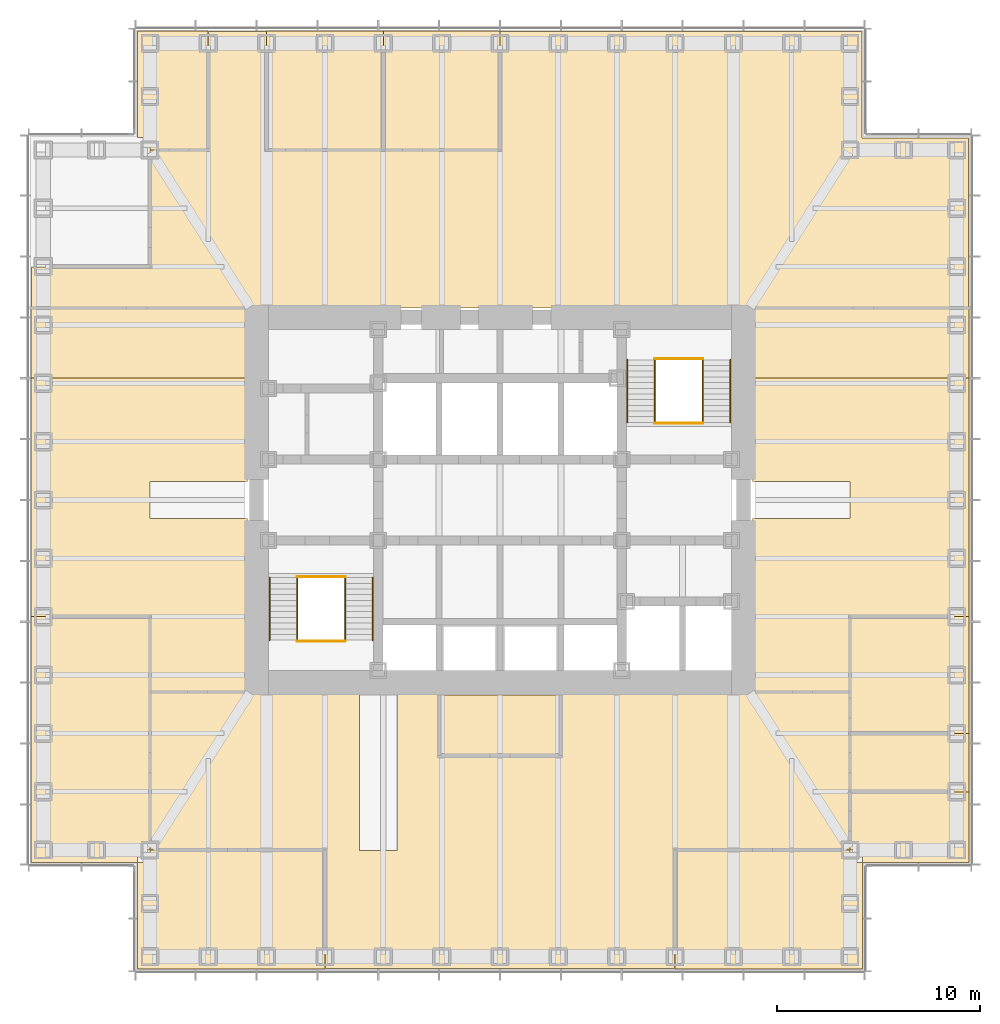
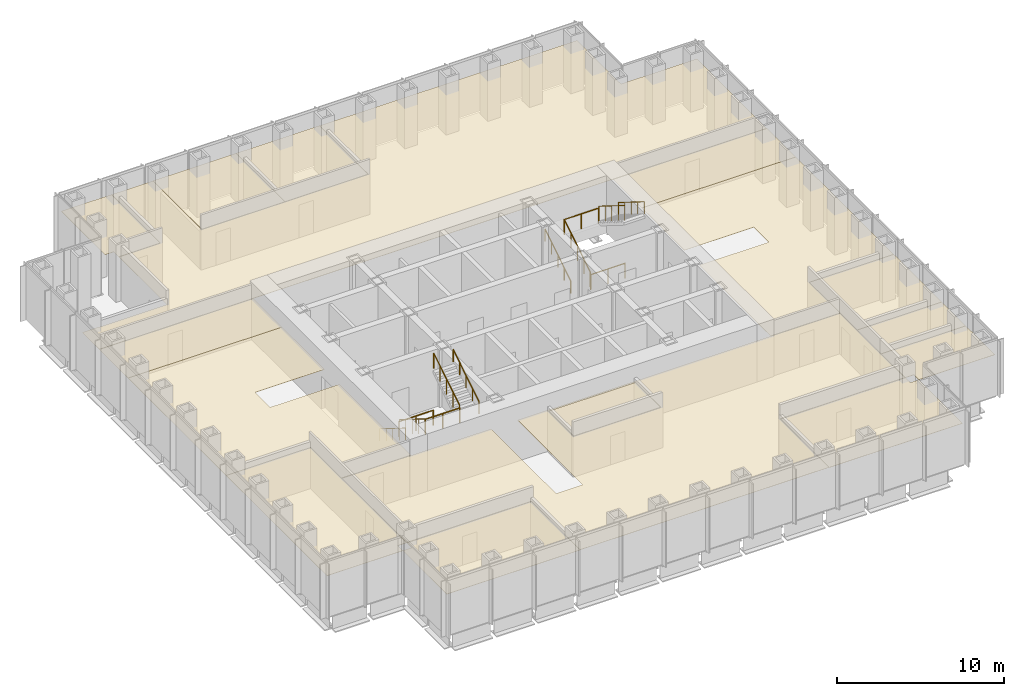
# One storey, part 16 of 16: 16 coverings, 12 railings.
"""IFC4 building model written with IfcOpenShell, lengths in metres."""

from ifc_helpers import new_model, si_unit, direction, frame, origin, origin_2d, place, context, subcontext, project, spatial, polyline, circle, outline, extrude, material, layer, layer_set, type_object, element, save


model = new_model("IFC4")

# Units and contexts
model_context = context("Model", 3, precision=1e-05, world=origin(), true_north=direction((0.0, 1.0)))
body_context = subcontext(model_context, "Body", "Model", "MODEL_VIEW")
ifc_project = project(units=[si_unit("LENGTHUNIT", "METRE"), si_unit("AREAUNIT", "SQUARE_METRE"), si_unit("VOLUMEUNIT", "CUBIC_METRE"), si_unit("PLANEANGLEUNIT", "RADIAN"), si_unit("MASSUNIT", "GRAM", prefix="KILO")], contexts=[model_context])

# Site, building, storey
site_placement = place(None, origin())
site = spatial("IfcSite", under=ifc_project, at=site_placement, CompositionType="ELEMENT")
building_placement = place(site_placement, origin())
building = spatial("IfcBuilding", under=site, at=building_placement, Name="Daluyong Arena Tower", CompositionType="ELEMENT")
storey_placement = place(building_placement, frame((0.0, 0.0, 141.699951171875)))
storey = spatial("IfcBuildingStorey", under=building, at=storey_placement, Name="L31", CompositionType="ELEMENT", Elevation=141.699951171875)

# Coverings
ifc_material_1 = material(Name="Mineral fibre ceiling tile", Category="gypsum board")
ifc_layer = layer(ifc_material_1, 0.02001953125)
ifc_layer_set = layer_set([ifc_layer], Name="Mineral fibre ceiling tile")
covering_type = type_object("IfcCoveringType", Name="Office ceiling", PredefinedType="CEILING", material=ifc_layer_set)
covering_1_placement = place(storey_placement, frame((0.0, 0.0, 2.900146484375)))
element("IfcCovering", 1, at=covering_1_placement, inside=storey, type_object=covering_type, Name="ceiling L31-01", PredefinedType="CEILING", context=body_context, shape_type="SweptSolid", body=[
    extrude(outline(polyline([(38.14990234375, 62.14990234375), (38.14990234375, 56.89990234375), (47.375, 56.89990234375), (47.375, 62.75), (38.75, 62.75), (38.75, 62.14990234375), (38.14990234375, 62.14990234375)])), origin(), (0.0, 0.0, 1.0), 0.02001953125),
])
covering_2_placement = place(storey_placement, frame((0.0, 0.0, 2.900146484375)))
element("IfcCovering", 2, at=covering_2_placement, inside=storey, type_object=covering_type, Name="ceiling L31-02", PredefinedType="CEILING", context=body_context, shape_type="SweptSolid", body=[
    extrude(outline(polyline([(73.85009765625, 56.89990234375), (73.85009765625, 62.14990234375), (73.25, 62.14990234375), (73.25, 62.75), (64.625, 62.75), (64.625, 56.89990234375), (73.85009765625, 56.89990234375)])), origin(), (0.0, 0.0, 1.0), 0.02001953125),
])
covering_3_placement = place(storey_placement, frame((0.0, 0.0, 2.900146484375)))
element("IfcCovering", 3, at=covering_3_placement, inside=storey, type_object=covering_type, Name="ceiling L31-03", PredefinedType="CEILING", context=body_context, shape_type="SweptSolid", body=[
    extrude(outline(polyline([(73.85009765625, 62.14990234375), (79.10009765625, 62.14990234375), (79.10009765625, 65.625), (73.25, 65.625), (73.25, 62.75), (73.85009765625, 62.75), (73.85009765625, 62.14990234375)])), origin(), (0.0, 0.0, 1.0), 0.02001953125),
])
covering_4_placement = place(storey_placement, frame((0.0, 0.0, 2.900146484375)))
element("IfcCovering", 4, at=covering_4_placement, inside=storey, type_object=covering_type, Name="ceiling L31-04", PredefinedType="CEILING", context=body_context, shape_type="SweptSolid", body=[
    extrude(outline(polyline([(73.25, 65.625), (79.10009765625, 65.625), (79.10009765625, 68.5), (73.25, 68.5), (73.25, 65.625)])), origin(), (0.0, 0.0, 1.0), 0.02001953125),
])
covering_5_placement = place(storey_placement, frame((0.0, 0.0, 2.900146484375)))
element("IfcCovering", 5, at=covering_5_placement, inside=storey, type_object=covering_type, Name="ceiling L31-05", PredefinedType="CEILING", context=body_context, shape_type="SweptSolid", body=[
    extrude(outline(polyline([(73.25, 68.5), (79.10009765625, 68.5), (79.10009765625, 74.25), (73.25, 74.25), (73.25, 68.5)])), origin(), (0.0, 0.0, 1.0), 0.02001953125),
])
covering_6_placement = place(storey_placement, frame((0.0, 0.0, 2.900146484375)))
element("IfcCovering", 6, at=covering_6_placement, inside=storey, type_object=covering_type, Name="ceiling L31-06", PredefinedType="CEILING", context=body_context, shape_type="SweptSolid", body=[
    extrude(outline(polyline([(41.625, 97.25), (41.625, 103.10009765625), (38.14990234375, 103.10009765625), (38.14990234375, 97.85009765625), (38.75, 97.85009765625), (38.75, 97.25), (41.625, 97.25)])), origin(), (0.0, 0.0, 1.0), 0.02001953125),
])
covering_7_placement = place(storey_placement, frame((0.0, 0.0, 2.900146484375)))
element("IfcCovering", 7, at=covering_7_placement, inside=storey, type_object=covering_type, Name="ceiling L31-07", PredefinedType="CEILING", context=body_context, shape_type="SweptSolid", body=[
    extrude(outline(polyline([(50.25, 97.25), (50.25, 103.10009765625), (44.5, 103.10009765625), (44.5, 97.25), (50.25, 97.25)])), origin(), (0.0, 0.0, 1.0), 0.02001953125),
])
covering_8_placement = place(storey_placement, frame((0.0, 0.0, 2.900146484375)))
element("IfcCovering", 8, at=covering_8_placement, inside=storey, type_object=covering_type, Name="ceiling L31-08", PredefinedType="CEILING", context=body_context, shape_type="SweptSolid", body=[
    extrude(outline(polyline([(56.0, 97.25), (56.0, 103.10009765625), (50.25, 103.10009765625), (50.25, 97.25), (56.0, 97.25)])), origin(), (0.0, 0.0, 1.0), 0.02001953125),
])
covering_9_placement = place(storey_placement, frame((0.0, 0.0, 2.900146484375)))
element("IfcCovering", 9, at=covering_9_placement, inside=storey, type_object=covering_type, Name="ceiling L31-09", PredefinedType="CEILING", context=body_context, shape_type="SweptSolid", body=[
    extrude(outline(polyline([(32.89990234375, 62.14990234375), (38.14990234375, 62.14990234375), (38.14990234375, 62.75), (38.75, 62.75), (38.75, 74.25), (32.89990234375, 74.25), (32.89990234375, 62.14990234375)])), origin(), (0.0, 0.0, 1.0), 0.02001953125),
])
covering_10_placement = place(storey_placement, frame((0.0, 0.0, 2.900146484375)))
element("IfcCovering", 10, at=covering_10_placement, inside=storey, type_object=covering_type, Name="ceiling L31-11", PredefinedType="CEILING", context=body_context, shape_type="SweptSolid", body=[
    extrude(outline(polyline([(53.0, 67.39990234375), (59.0, 67.39990234375), (59.0, 70.39990234375), (53.0, 70.39990234375), (53.0, 67.39990234375)])), origin(), (0.0, 0.0, 1.0), 0.02001953125),
])
covering_11_placement = place(storey_placement, frame((0.0, 0.0, 2.900146484375)))
element("IfcCovering", 11, at=covering_11_placement, inside=storey, type_object=covering_type, Name="ceiling L31-15", PredefinedType="CEILING", context=body_context, shape_type="SweptSolid", body=[
    extrude(outline(polyline([(49.080078125, 70.530029296875), (38.77001953125, 70.530029296875), (38.77001953125, 62.77001953125), (47.39501953125, 62.77001953125), (47.39501953125, 56.919921875), (64.60498046875, 56.919921875), (64.60498046875, 62.77001953125), (73.22998046875, 62.77001953125), (73.22998046875, 70.530029296875), (50.919921875, 70.530029296875), (50.919921875, 62.72998046875), (49.080078125, 62.72998046875), (49.080078125, 70.530029296875)]), holes=[polyline([(52.97998046875, 67.3798828125), (52.97998046875, 70.419921875), (59.02001953125, 70.419921875), (59.02001953125, 67.3798828125), (52.97998046875, 67.3798828125)])]), origin(), (0.0, 0.0, 1.0), 0.02001953125),
])
covering_12_placement = place(storey_placement, frame((0.0, 0.0, 2.900146484375)))
element("IfcCovering", 12, at=covering_12_placement, inside=storey, type_object=covering_type, Name="ceiling L31-16", PredefinedType="CEILING", context=body_context, shape_type="SweptSolid", body=[
    extrude(outline(polyline([(38.760009765625, 97.239990234375), (38.760009765625, 91.489990234375), (32.909912109375, 91.489990234375), (32.909912109375, 89.4599609375), (79.090087890625, 89.4599609375), (79.090087890625, 97.840087890625), (73.840087890625, 97.840087890625), (73.840087890625, 103.090087890625), (56.010009765625, 103.090087890625), (56.010009765625, 97.239990234375), (44.489990234375, 97.239990234375), (44.489990234375, 103.090087890625), (41.635009765625, 103.090087890625), (41.635009765625, 97.239990234375), (38.760009765625, 97.239990234375)])), origin(), (0.0, 0.0, 1.0), 0.02001953125),
])
covering_13_placement = place(storey_placement, frame((0.0, 0.0, 2.900146484375)))
element("IfcCovering", 13, at=covering_13_placement, inside=storey, type_object=covering_type, Name="ceiling L31-17", PredefinedType="CEILING", context=body_context, shape_type="SweptSolid", body=[
    extrude(outline(polyline([(38.75, 74.25), (38.75, 70.550048828125), (43.550048828125, 70.550048828125), (43.550048828125, 79.10009765625), (38.75, 79.10009765625), (38.75, 80.89990234375), (43.550048828125, 80.89990234375), (43.550048828125, 86.0), (32.89990234375, 86.0), (32.89990234375, 74.25), (38.75, 74.25)])), origin(), (0.0, 0.0, 1.0), 0.02001953125),
])
covering_14_placement = place(storey_placement, frame((0.0, 0.0, 2.900146484375)))
element("IfcCovering", 14, at=covering_14_placement, inside=storey, type_object=covering_type, Name="ceiling L31-18", PredefinedType="CEILING", context=body_context, shape_type="SweptSolid", body=[
    extrude(outline(polyline([(32.89990234375, 89.449951171875), (32.89990234375, 86.0), (43.550048828125, 86.0), (43.550048828125, 89.449951171875), (32.89990234375, 89.449951171875)])), origin(), (0.0, 0.0, 1.0), 0.02001953125),
])
covering_15_placement = place(storey_placement, frame((0.0, 0.0, 2.900146484375)))
element("IfcCovering", 15, at=covering_15_placement, inside=storey, type_object=covering_type, Name="ceiling L31-19", PredefinedType="CEILING", context=body_context, shape_type="SweptSolid", body=[
    extrude(outline(polyline([(79.10009765625, 74.25), (79.10009765625, 86.0), (68.449951171875, 86.0), (68.449951171875, 80.89990234375), (73.25, 80.89990234375), (73.25, 79.10009765625), (68.449951171875, 79.10009765625), (68.449951171875, 70.550048828125), (73.25, 70.550048828125), (73.25, 74.25), (79.10009765625, 74.25)])), origin(), (0.0, 0.0, 1.0), 0.02001953125),
])
covering_16_placement = place(storey_placement, frame((0.0, 0.0, 2.900146484375)))
element("IfcCovering", 16, at=covering_16_placement, inside=storey, type_object=covering_type, Name="ceiling L31-20", PredefinedType="CEILING", context=body_context, shape_type="SweptSolid", body=[
    extrude(outline(polyline([(79.10009765625, 86.0), (79.10009765625, 89.449951171875), (68.449951171875, 89.449951171875), (68.449951171875, 86.0), (79.10009765625, 86.0)])), origin(), (0.0, 0.0, 1.0), 0.02001953125),
])

# Railings
ifc_material_2 = material(Name="Stainless steel handrail", Category="steel")
railing_type_1 = type_object("IfcRailingType", Name="Stair handrail", PredefinedType="HANDRAIL", material=ifc_material_2)
railing_1_placement = place(storey_placement, frame((44.64990234375, 76.175048828125, 0.175048828125)))
element("IfcRailing", 17, at=railing_1_placement, inside=storey, type_object=railing_type_1, Name="exit stair A handrail L31", PredefinedType="HANDRAIL", context=body_context, shape_type="SweptSolid", body=[
    extrude(circle(Radius=0.02392578125, at=origin_2d()), frame((0.0, 0.0, 0.8759765625), z_axis=(0.0, -0.847998304005, 0.529998940003), x_axis=(1.0, 0.0, 0.0)), (0.0, 0.0, 1.0), 3.632080078125),
    extrude(circle(Radius=0.02099609375, at=origin_2d()), origin(), (0.0, 0.0, 1.0), 0.851806640625),
    extrude(circle(Radius=0.02099609375, at=origin_2d()), frame((0.0, -0.77001953125, 0.481201171875)), (0.0, 0.0, 1.0), 0.851806640625),
    extrude(circle(Radius=0.02099609375, at=origin_2d()), frame((0.0, -1.5400390625, 0.96240234375)), (0.0, 0.0, 1.0), 0.851806640625),
    extrude(circle(Radius=0.02099609375, at=origin_2d()), frame((0.0, -2.31005859375, 1.44384765625)), (0.0, 0.0, 1.0), 0.851806640625),
    extrude(circle(Radius=0.02099609375, at=origin_2d()), frame((0.0, -3.080078125, 1.925048828125)), (0.0, 0.0, 1.0), 0.851806640625),
])
railing_2_placement = place(storey_placement, frame((49.72509765625, 73.094970703125, 2.275146484375)))
element("IfcRailing", 18, at=railing_2_placement, inside=storey, type_object=railing_type_1, Name="exit stair A handrail L31", PredefinedType="HANDRAIL", context=body_context, shape_type="SweptSolid", body=[
    extrude(circle(Radius=0.02392578125, at=origin_2d()), frame((0.0, 0.0, 0.8759765625), z_axis=(0.0, 0.848028513186, 0.529950602248), x_axis=(-1.0, 0.0, 0.0)), (0.0, 0.0, 1.0), 3.632080078125),
    extrude(circle(Radius=0.02099609375, at=origin_2d()), origin(), (0.0, 0.0, 1.0), 0.851806640625),
    extrude(circle(Radius=0.02099609375, at=origin_2d()), frame((0.0, 0.77001953125, 0.481201171875)), (0.0, 0.0, 1.0), 0.851806640625),
    extrude(circle(Radius=0.02099609375, at=origin_2d()), frame((0.0, 1.5400390625, 0.96240234375)), (0.0, 0.0, 1.0), 0.851806640625),
    extrude(circle(Radius=0.02099609375, at=origin_2d()), frame((0.0, 2.31005859375, 1.443603515625)), (0.0, 0.0, 1.0), 0.851806640625),
    extrude(circle(Radius=0.02099609375, at=origin_2d()), frame((0.0, 3.080078125, 1.9248046875)), (0.0, 0.0, 1.0), 0.851806640625),
])
railing_3_placement = place(storey_placement, frame((62.27490234375, 83.824951171875, 0.175048828125)))
element("IfcRailing", 19, at=railing_3_placement, inside=storey, type_object=railing_type_1, Name="exit stair B handrail L31", PredefinedType="HANDRAIL", context=body_context, shape_type="SweptSolid", body=[
    extrude(circle(Radius=0.02392578125, at=origin_2d()), frame((0.0, 0.0, 0.8759765625), z_axis=(0.0, 0.847998304005, 0.529998940003), x_axis=(-1.0, 0.0, 0.0)), (0.0, 0.0, 1.0), 3.632080078125),
    extrude(circle(Radius=0.02099609375, at=origin_2d()), origin(), (0.0, 0.0, 1.0), 0.851806640625),
    extrude(circle(Radius=0.02099609375, at=origin_2d()), frame((0.0, 0.77001953125, 0.481201171875)), (0.0, 0.0, 1.0), 0.851806640625),
    extrude(circle(Radius=0.02099609375, at=origin_2d()), frame((0.0, 1.5400390625, 0.96240234375)), (0.0, 0.0, 1.0), 0.851806640625),
    extrude(circle(Radius=0.02099609375, at=origin_2d()), frame((0.0, 2.31005859375, 1.44384765625)), (0.0, 0.0, 1.0), 0.851806640625),
    extrude(circle(Radius=0.02099609375, at=origin_2d()), frame((0.0, 3.080078125, 1.925048828125)), (0.0, 0.0, 1.0), 0.851806640625),
])
railing_4_placement = place(storey_placement, frame((67.35009765625, 86.905029296875, 2.275146484375)))
element("IfcRailing", 20, at=railing_4_placement, inside=storey, type_object=railing_type_1, Name="exit stair B handrail L31", PredefinedType="HANDRAIL", context=body_context, shape_type="SweptSolid", body=[
    extrude(circle(Radius=0.02392578125, at=origin_2d()), frame((0.0, 0.0, 0.8759765625), z_axis=(0.0, -0.848028513186, 0.529950602248), x_axis=(1.0, 0.0, 0.0)), (0.0, 0.0, 1.0), 3.632080078125),
    extrude(circle(Radius=0.02099609375, at=origin_2d()), origin(), (0.0, 0.0, 1.0), 0.851806640625),
    extrude(circle(Radius=0.02099609375, at=origin_2d()), frame((0.0, -0.77001953125, 0.481201171875)), (0.0, 0.0, 1.0), 0.851806640625),
    extrude(circle(Radius=0.02099609375, at=origin_2d()), frame((0.0, -1.5400390625, 0.96240234375)), (0.0, 0.0, 1.0), 0.851806640625),
    extrude(circle(Radius=0.02099609375, at=origin_2d()), frame((0.0, -2.31005859375, 1.443603515625)), (0.0, 0.0, 1.0), 0.851806640625),
    extrude(circle(Radius=0.02099609375, at=origin_2d()), frame((0.0, -3.080078125, 1.9248046875)), (0.0, 0.0, 1.0), 0.851806640625),
])
ifc_material_3 = material(Name="Steel balustrade", Category="steel")
railing_type_2 = type_object("IfcRailingType", Name="Stair well guard 1100", PredefinedType="GUARDRAIL", material=ifc_material_3)
railing_5_placement = place(storey_placement, frame((46.0, 76.175048828125, 0.175048828125)))
element("IfcRailing", 21, at=railing_5_placement, inside=storey, type_object=railing_type_2, Name="exit stair A well guard L31", PredefinedType="GUARDRAIL", context=body_context, shape_type="SweptSolid", body=[
    extrude(circle(Radius=0.02392578125, at=origin_2d()), frame((0.0, 0.0, 1.076171875), z_axis=(0.0, -0.847998304005, 0.529998940003), x_axis=(1.0, 0.0, 0.0)), (0.0, 0.0, 1.0), 3.632080078125),
    extrude(circle(Radius=0.02099609375, at=origin_2d()), origin(), (0.0, 0.0, 1.0), 1.052001953125),
    extrude(circle(Radius=0.02099609375, at=origin_2d()), frame((0.0, -0.77001953125, 0.481201171875)), (0.0, 0.0, 1.0), 1.052001953125),
    extrude(circle(Radius=0.02099609375, at=origin_2d()), frame((0.0, -1.5400390625, 0.96240234375)), (0.0, 0.0, 1.0), 1.052001953125),
    extrude(circle(Radius=0.02099609375, at=origin_2d()), frame((0.0, -2.31005859375, 1.44384765625)), (0.0, 0.0, 1.0), 1.052001953125),
    extrude(circle(Radius=0.02099609375, at=origin_2d()), frame((0.0, -3.080078125, 1.925048828125)), (0.0, 0.0, 1.0), 1.052001953125),
])
railing_6_placement = place(storey_placement, frame((48.375, 73.094970703125, 2.275146484375)))
element("IfcRailing", 22, at=railing_6_placement, inside=storey, type_object=railing_type_2, Name="exit stair A well guard L31", PredefinedType="GUARDRAIL", context=body_context, shape_type="SweptSolid", body=[
    extrude(circle(Radius=0.02392578125, at=origin_2d()), frame((0.0, 0.0, 1.076171875), z_axis=(0.0, 0.848028513186, 0.529950602248), x_axis=(-1.0, 0.0, 0.0)), (0.0, 0.0, 1.0), 3.632080078125),
    extrude(circle(Radius=0.02099609375, at=origin_2d()), origin(), (0.0, 0.0, 1.0), 1.052001953125),
    extrude(circle(Radius=0.02099609375, at=origin_2d()), frame((0.0, 0.77001953125, 0.481201171875)), (0.0, 0.0, 1.0), 1.052001953125),
    extrude(circle(Radius=0.02099609375, at=origin_2d()), frame((0.0, 1.5400390625, 0.96240234375)), (0.0, 0.0, 1.0), 1.052001953125),
    extrude(circle(Radius=0.02099609375, at=origin_2d()), frame((0.0, 2.31005859375, 1.443603515625)), (0.0, 0.0, 1.0), 1.052001953125),
    extrude(circle(Radius=0.02099609375, at=origin_2d()), frame((0.0, 3.080078125, 1.9248046875)), (0.0, 0.0, 1.0), 1.052001953125),
])
for number, where, name in (
    (23, (46.0, 73.044921875, 2.10009765625), "exit stair A landing guard L31"),
    (24, (46.0, 76.22509765625, 0.0), "exit stair A floor landing guard L31"),
):
    element("IfcRailing", number, at=place(storey_placement, frame(where)), inside=storey, type_object=railing_type_2, Name=name, PredefinedType="GUARDRAIL", context=body_context, shape_type="SweptSolid", body=[
        extrude(circle(Radius=0.02392578125, at=origin_2d()), frame((0.0, 0.0, 1.076171875), z_axis=(1.0, 0.0, 0.0), x_axis=(0.0, 1.0, 0.0)), (0.0, 0.0, 1.0), 2.375),
        extrude(circle(Radius=0.02099609375, at=origin_2d()), origin(), (0.0, 0.0, 1.0), 1.052001953125),
        extrude(circle(Radius=0.02099609375, at=origin_2d()), frame((1.1875, 0.0, 0.0)), (0.0, 0.0, 1.0), 1.052001953125),
        extrude(circle(Radius=0.02099609375, at=origin_2d()), frame((2.375, 0.0, 0.0)), (0.0, 0.0, 1.0), 1.052001953125),
    ])
railing_7_placement = place(storey_placement, frame((63.625, 83.824951171875, 0.175048828125)))
element("IfcRailing", 25, at=railing_7_placement, inside=storey, type_object=railing_type_2, Name="exit stair B well guard L31", PredefinedType="GUARDRAIL", context=body_context, shape_type="SweptSolid", body=[
    extrude(circle(Radius=0.02392578125, at=origin_2d()), frame((0.0, 0.0, 1.076171875), z_axis=(0.0, 0.847998304005, 0.529998940003), x_axis=(-1.0, 0.0, 0.0)), (0.0, 0.0, 1.0), 3.632080078125),
    extrude(circle(Radius=0.02099609375, at=origin_2d()), origin(), (0.0, 0.0, 1.0), 1.052001953125),
    extrude(circle(Radius=0.02099609375, at=origin_2d()), frame((0.0, 0.77001953125, 0.481201171875)), (0.0, 0.0, 1.0), 1.052001953125),
    extrude(circle(Radius=0.02099609375, at=origin_2d()), frame((0.0, 1.5400390625, 0.96240234375)), (0.0, 0.0, 1.0), 1.052001953125),
    extrude(circle(Radius=0.02099609375, at=origin_2d()), frame((0.0, 2.31005859375, 1.44384765625)), (0.0, 0.0, 1.0), 1.052001953125),
    extrude(circle(Radius=0.02099609375, at=origin_2d()), frame((0.0, 3.080078125, 1.925048828125)), (0.0, 0.0, 1.0), 1.052001953125),
])
railing_8_placement = place(storey_placement, frame((66.0, 86.905029296875, 2.275146484375)))
element("IfcRailing", 26, at=railing_8_placement, inside=storey, type_object=railing_type_2, Name="exit stair B well guard L31", PredefinedType="GUARDRAIL", context=body_context, shape_type="SweptSolid", body=[
    extrude(circle(Radius=0.02392578125, at=origin_2d()), frame((0.0, 0.0, 1.076171875), z_axis=(0.0, -0.848028513186, 0.529950602248), x_axis=(1.0, 0.0, 0.0)), (0.0, 0.0, 1.0), 3.632080078125),
    extrude(circle(Radius=0.02099609375, at=origin_2d()), origin(), (0.0, 0.0, 1.0), 1.052001953125),
    extrude(circle(Radius=0.02099609375, at=origin_2d()), frame((0.0, -0.77001953125, 0.481201171875)), (0.0, 0.0, 1.0), 1.052001953125),
    extrude(circle(Radius=0.02099609375, at=origin_2d()), frame((0.0, -1.5400390625, 0.96240234375)), (0.0, 0.0, 1.0), 1.052001953125),
    extrude(circle(Radius=0.02099609375, at=origin_2d()), frame((0.0, -2.31005859375, 1.443603515625)), (0.0, 0.0, 1.0), 1.052001953125),
    extrude(circle(Radius=0.02099609375, at=origin_2d()), frame((0.0, -3.080078125, 1.9248046875)), (0.0, 0.0, 1.0), 1.052001953125),
])
for number, where, name in (
    (27, (63.625, 86.955078125, 2.10009765625), "exit stair B landing guard L31"),
    (28, (63.625, 83.77490234375, 0.0), "exit stair B floor landing guard L31"),
):
    element("IfcRailing", number, at=place(storey_placement, frame(where)), inside=storey, type_object=railing_type_2, Name=name, PredefinedType="GUARDRAIL", context=body_context, shape_type="SweptSolid", body=[
        extrude(circle(Radius=0.02392578125, at=origin_2d()), frame((0.0, 0.0, 1.076171875), z_axis=(1.0, 0.0, 0.0), x_axis=(0.0, 1.0, 0.0)), (0.0, 0.0, 1.0), 2.375),
        extrude(circle(Radius=0.02099609375, at=origin_2d()), origin(), (0.0, 0.0, 1.0), 1.052001953125),
        extrude(circle(Radius=0.02099609375, at=origin_2d()), frame((1.1875, 0.0, 0.0)), (0.0, 0.0, 1.0), 1.052001953125),
        extrude(circle(Radius=0.02099609375, at=origin_2d()), frame((2.375, 0.0, 0.0)), (0.0, 0.0, 1.0), 1.052001953125),
    ])

save(model, "model.ifc")
